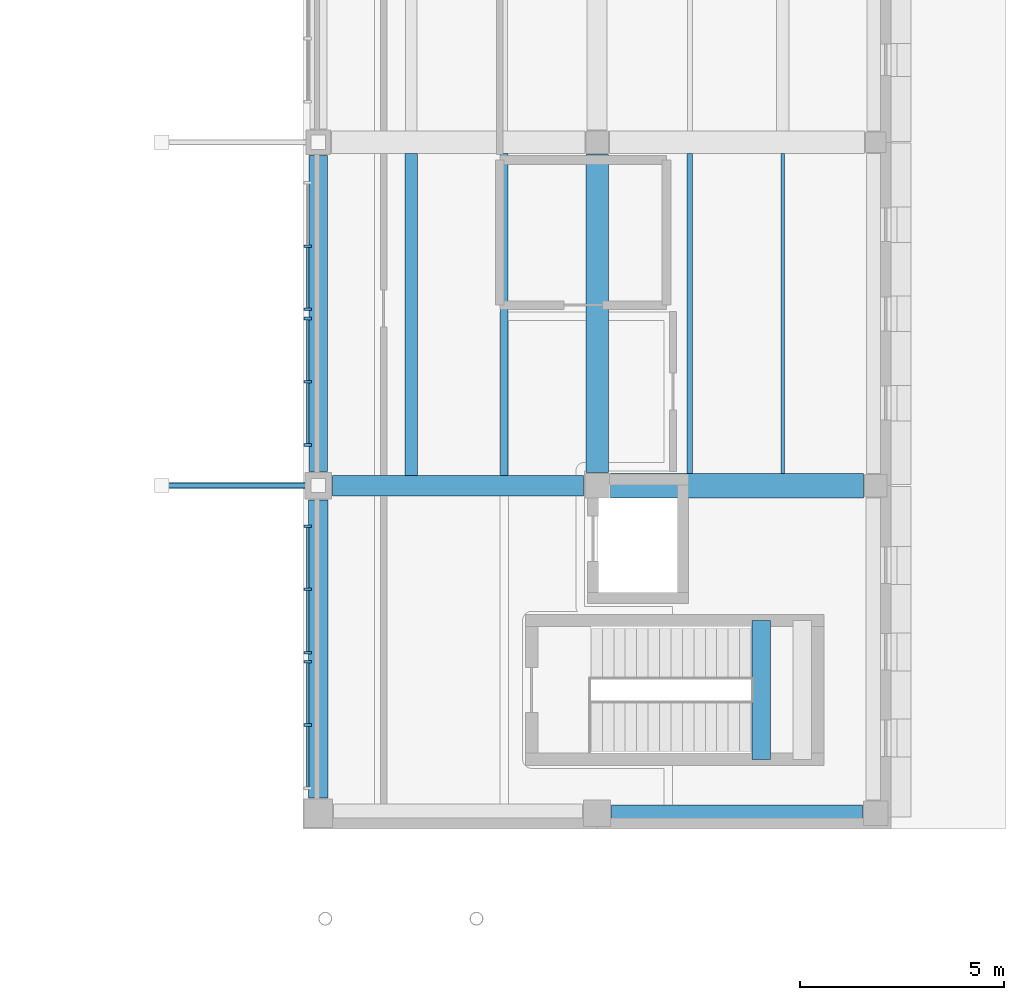
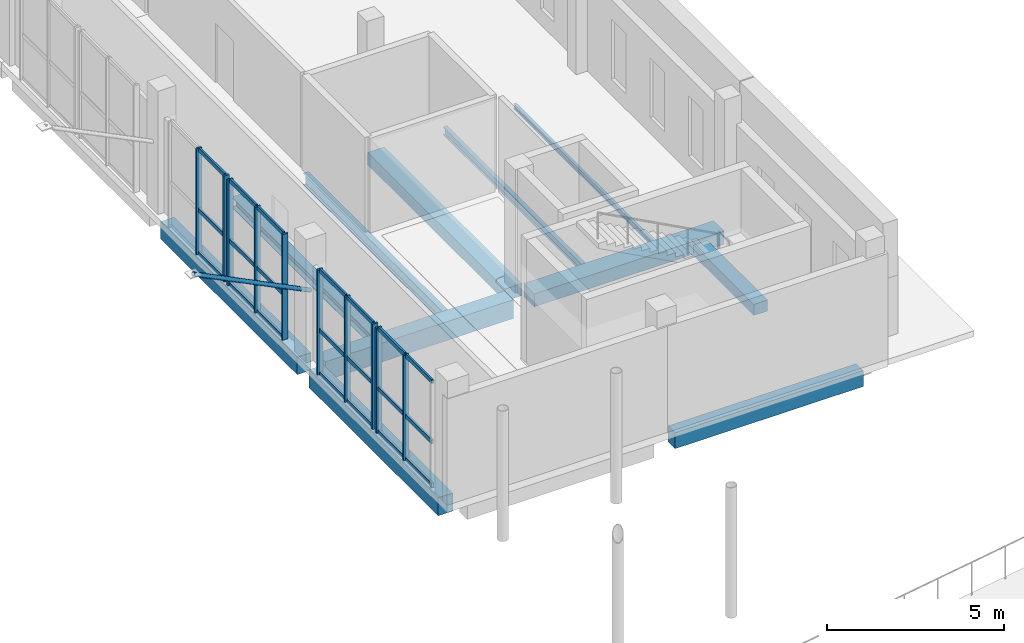
# One storey, part 31 of 77: 32 members, 11 beams, 4 elements without a shape of their own.
"""IFC4 building model written with IfcOpenShell, lengths in metres."""

import ifcopenshell
import ifcopenshell.guid

model = None  # the IFC model being written
_history = None  # IfcOwnerHistory: only IFC2X3 demands one
_inside = {}  # id of a spatial element -> (the spatial element, [elements in it])
_under = {}  # id of a project, library or spatial element -> (it, [spatial elements below it])
_declared = {}  # id of a project -> (the project, [libraries it declares])
_typed = {}  # id of a type object -> (the type object, [elements of that type])
_made_of = {}  # id of a material, layer set ... -> (it, [elements and type objects made of it])


def new_model(schema):
    """Start an empty IFC model of exactly this schema.

    Asked for "IFC4X3", IfcOpenShell would pick the latest addendum, in which some entities
    have other attributes; the version numbers below select the first issue.
    IFC2X3 requires an IfcOwnerHistory on every rooted entity: one is made here for all.
    """
    global model, _history
    if schema == "IFC4X3":
        model = ifcopenshell.file(schema_version=(4, 3, 0, 0))
    else:
        model = ifcopenshell.file(schema=schema)
    _inside.clear()
    _under.clear()
    _declared.clear()
    _typed.clear()
    _made_of.clear()
    _history = None
    if model.schema == "IFC2X3":
        org = make("IfcOrganization", Name="unknown")
        user = make(
            "IfcPersonAndOrganization",
            ThePerson=make("IfcPerson", FamilyName="unknown"),
            TheOrganization=org,
        )
        app = make(
            "IfcApplication",
            ApplicationDeveloper=org,
            Version="unknown",
            ApplicationFullName="unknown",
            ApplicationIdentifier="unknown",
        )
        _history = make(
            "IfcOwnerHistory",
            OwningUser=user,
            OwningApplication=app,
            ChangeAction="ADDED",
            CreationDate=0,
        )
    return model


def make(cls, **values):
    """One entity of the class cls with the attributes given. An attribute that is None is left unset."""
    return model.create_entity(
        cls, **{name: value for name, value in values.items() if value is not None}
    )


def rooted(cls, **values):
    """An entity with a GlobalId (a new one), such as an element, a storey or a relation."""
    return make(cls, GlobalId=ifcopenshell.guid.new(), OwnerHistory=_history, **values)


def si_unit(unit_type, name, prefix=None):
    """IfcSIUnit, for example si_unit("LENGTHUNIT", "METRE", prefix="MILLI")."""
    return make("IfcSIUnit", UnitType=unit_type, Prefix=prefix, Name=name)


def assignment(units):
    """IfcUnitAssignment: the units of a project."""
    return None if units is None else make("IfcUnitAssignment", Units=units)


def point(xyz):
    """IfcCartesianPoint."""
    return None if xyz is None else make("IfcCartesianPoint", Coordinates=xyz)


def direction(xyz):
    """IfcDirection."""
    return None if xyz is None else make("IfcDirection", DirectionRatios=xyz)


def frame(location, z_axis=None, x_axis=None):
    """IfcAxis2Placement3D, a coordinate frame: its origin and axes. An axis left out is left unset."""
    return make(
        "IfcAxis2Placement3D",
        Location=point(location),
        Axis=direction(z_axis),
        RefDirection=direction(x_axis),
    )


def frame_2d(location, x_axis=None):
    """IfcAxis2Placement2D, a coordinate frame in the plane: its origin and x axis."""
    return make(
        "IfcAxis2Placement2D", Location=point(location), RefDirection=direction(x_axis)
    )


def origin():
    """The frame at (0, 0, 0) with its axes left unset."""
    return frame((0.0, 0.0, 0.0))


def origin_2d():
    """The frame at (0, 0) in the plane with its x axis left unset."""
    return frame_2d((0.0, 0.0))


def place(relative_to, where):
    """IfcLocalPlacement: puts the frame where relative to a parent placement (None: the world)."""
    return make(
        "IfcLocalPlacement", PlacementRelTo=relative_to, RelativePlacement=where
    )


def context(
    kind, dimensions, precision=None, world=None, true_north=None, identifier=None
):
    """IfcGeometricRepresentationContext, for example the 3D "Model" context."""
    return make(
        "IfcGeometricRepresentationContext",
        ContextIdentifier=identifier,
        ContextType=kind,
        CoordinateSpaceDimension=dimensions,
        Precision=precision,
        WorldCoordinateSystem=world,
        TrueNorth=true_north,
    )


def subcontext(parent, identifier, kind, view, scale=None):
    """IfcGeometricRepresentationSubContext, for example "Body" below "Model"."""
    return make(
        "IfcGeometricRepresentationSubContext",
        ContextIdentifier=identifier,
        ContextType=kind,
        ParentContext=parent,
        TargetScale=scale,
        TargetView=view,
    )


def project(units=None, contexts=None):
    """IfcProject with its units and contexts."""
    return rooted(
        "IfcProject",
        Name="project",
        RepresentationContexts=contexts,
        UnitsInContext=assignment(units),
    )


def spatial(cls, under=None, at=None, **own):
    """A site, building, storey or space (cls), placed at a placement, below another one or the project."""
    s = rooted(cls, ObjectPlacement=at, **own)
    if under is not None:
        _under.setdefault(under.id(), (under, []))[1].append(s)
    return s


def profile(cls, at=None, kind="AREA", **sizes):
    """A parametric profile (cls). Its sizes go by their IFC names, for example OverallWidth=200.0."""
    return make(cls, ProfileType=kind, Position=at, **sizes)


def rectangle(**sizes):
    """IfcRectangleProfileDef."""
    return profile("IfcRectangleProfileDef", **sizes)


def hollow_circle(**sizes):
    """IfcCircleHollowProfileDef."""
    return profile("IfcCircleHollowProfileDef", **sizes)


def i_section(**sizes):
    """IfcIShapeProfileDef."""
    return profile("IfcIShapeProfileDef", **sizes)


def extrude(swept, where, along, depth):
    """IfcExtrudedAreaSolid: the profile swept, set in the frame where, extruded along a direction by depth."""
    return make(
        "IfcExtrudedAreaSolid",
        SweptArea=swept,
        Position=where,
        ExtrudedDirection=direction(along),
        Depth=depth,
    )


def shape(context_of_items, identifier, shape_type, items):
    """IfcShapeRepresentation: the items that make up one representation, for example the "Body"."""
    return make(
        "IfcShapeRepresentation",
        ContextOfItems=context_of_items,
        RepresentationIdentifier=identifier,
        RepresentationType=shape_type,
        Items=items,
    )


def material(Name=None, Category=None):
    """IfcMaterial."""
    return make("IfcMaterial", Name=Name, Category=Category)


def layer(
    of_material, thickness, ventilated=None, Name=None, Category=None, Priority=None
):
    """IfcMaterialLayer: one layer of a wall or slab, of a material (None: an air gap)."""
    return make(
        "IfcMaterialLayer",
        Material=of_material,
        LayerThickness=thickness,
        IsVentilated=ventilated,
        Name=Name,
        Category=Category,
        Priority=Priority,
    )


def layer_set(layers, Name=None):
    """IfcMaterialLayerSet."""
    return make("IfcMaterialLayerSet", MaterialLayers=layers, LayerSetName=Name)


def material_profile(
    of_material, cross_section, Name=None, Category=None, Priority=None
):
    """IfcMaterialProfile: a cross section and its material."""
    return make(
        "IfcMaterialProfile",
        Name=Name,
        Material=of_material,
        Profile=cross_section,
        Priority=Priority,
        Category=Category,
    )


def profile_set(profiles, Name=None, composite=None):
    """IfcMaterialProfileSet."""
    return make(
        "IfcMaterialProfileSet",
        Name=Name,
        MaterialProfiles=profiles,
        CompositeProfile=composite,
    )


def made_of(thing, what):
    """Note that an element or type object is made of a material, layer set ...; save() writes the relation."""
    if what is not None:
        _made_of.setdefault(what.id(), (what, []))[1].append(thing)
    return thing


def type_object(cls, material=None, **own):
    """A type object (cls), such as IfcWallType, which elements share."""
    return made_of(rooted(cls, **own), material)


def element(
    cls,
    number,
    at=None,
    inside=None,
    cuts=None,
    type_object=None,
    material=None,
    context=None,
    identifier="Body",
    shape_type=None,
    held_by="IfcProductDefinitionShape",
    body=None,
    shapes=None,
    **own,
):
    """One element of the class cls, such as IfcWall. Its Tag is "e" and its number.

    at: its placement. inside: the storey or other place that contains it. cuts: it is an
    opening in that element (IfcRelVoidsElement). A single representation is given by context,
    identifier, shape_type and body (its items); several are given by shapes. held_by: the class
    of the entity that holds the representations. save() writes the other relations.
    """
    e = rooted(cls, Tag="e%d" % number, ObjectPlacement=at, **own)
    if body is not None:
        shapes = [shape(context, identifier, shape_type, body)]
    if shapes is not None:
        e.Representation = make(held_by, Representations=shapes)
    if inside is not None:
        _inside.setdefault(inside.id(), (inside, []))[1].append(e)
    if cuts is not None:
        rooted(
            "IfcRelVoidsElement", RelatingBuildingElement=cuts, RelatedOpeningElement=e
        )
    if type_object is not None:
        _typed.setdefault(type_object.id(), (type_object, []))[1].append(e)
    return made_of(e, material)


def aggregate(whole, parts):
    """IfcRelAggregates: a whole, such as a stair, and the parts it consists of."""
    return rooted("IfcRelAggregates", RelatingObject=whole, RelatedObjects=parts)


def save(model, path):
    """Write the relations noted so far, then the file.

    IfcRelAggregates (storeys below a building ...), IfcRelContainedInSpatialStructure (elements
    in a storey), IfcRelDefinesByType, IfcRelAssociatesMaterial and IfcRelDeclares: one each for
    every whole, place, type object, material and project.
    """
    for whole, parts in _under.values():
        aggregate(whole, parts)
    for where, things in _inside.values():
        rooted(
            "IfcRelContainedInSpatialStructure",
            RelatedElements=things,
            RelatingStructure=where,
        )
    for kind, things in _typed.values():
        rooted("IfcRelDefinesByType", RelatedObjects=things, RelatingType=kind)
    for what, things in _made_of.values():
        rooted("IfcRelAssociatesMaterial", RelatedObjects=things, RelatingMaterial=what)
    for by, libraries in _declared.values():
        rooted("IfcRelDeclares", RelatingContext=by, RelatedDefinitions=libraries)
    model.write(path)


model = new_model("IFC4")

# Units and contexts
model_context = context("Model", 3, precision=1e-05, world=origin(), true_north=direction((0.0, 1.0)))
body_context = subcontext(model_context, "Body", "Model", "MODEL_VIEW")
ifc_project = project(units=[si_unit("LENGTHUNIT", "METRE"), si_unit("AREAUNIT", "SQUARE_METRE"), si_unit("VOLUMEUNIT", "CUBIC_METRE"), si_unit("PLANEANGLEUNIT", "RADIAN"), si_unit("MASSUNIT", "GRAM", prefix="KILO")], contexts=[model_context])

# Site, building, storey
site_placement = place(None, origin())
site = spatial("IfcSite", under=ifc_project, at=site_placement, CompositionType="ELEMENT")
building_placement = place(site_placement, origin())
building = spatial("IfcBuilding", under=site, at=building_placement, Name="Vardoun Plaza Health Centre", CompositionType="ELEMENT")
storey_placement = place(building_placement, origin())
storey = spatial("IfcBuildingStorey", under=building, at=storey_placement, Name="L00", CompositionType="ELEMENT", Elevation=0.0)

# Beams
ifc_material_1 = material(Name="Concrete C35/45", Category="concrete")
ifc_material_profile_1 = material_profile(ifc_material_1, rectangle(XDim=0.39990234375, YDim=0.550048828125, at=origin_2d()), Name="RC-BM 400x550")
ifc_profile_set_1 = profile_set([ifc_material_profile_1], Name="Concrete C35/45")
beam_type_1 = type_object("IfcBeamType", Name="B-09", PredefinedType="SPANDREL", material=ifc_profile_set_1)
beam_1_placement = place(storey_placement, frame((158.449951171875, 36.679931640625, -0.52490234375), z_axis=(1.0, 0.0, 0.0), x_axis=(0.0, 1.0, 0.0)))
element("IfcBeam", 1, at=beam_1_placement, inside=storey, type_object=beam_type_1, Name="V6 L00 Beam B-V6-L00-X08", PredefinedType="SPANDREL", context=body_context, shape_type="SweptSolid", body=[
    extrude(rectangle(XDim=0.39990234375, YDim=0.550048828125, at=origin_2d()), origin(), (0.0, 0.0, 1.0), 6.14501953125),
])
ifc_material_2 = material(Name="Concrete C35/45", Category="concrete")
ifc_material_profile_2 = material_profile(ifc_material_2, rectangle(XDim=0.449951171875, YDim=0.3798828125, at=origin_2d()), Name="RC-BM 450x380")
ifc_profile_set_2 = profile_set([ifc_material_profile_2], Name="Concrete C35/45")
beam_type_2 = type_object("IfcBeamType", Name="B-01", PredefinedType="BEAM", material=ifc_profile_set_2)
beam_2_placement = place(storey_placement, frame((162.1201171875, 38.0, 1.860107421875), z_axis=(0.0, 1.0, 0.0), x_axis=(-1.0, 0.0, 0.0)))
element("IfcBeam", 2, at=beam_2_placement, inside=storey, type_object=beam_type_2, Name="Stair ST-C10-L00 Landing Beam 1", PredefinedType="BEAM", context=body_context, shape_type="SweptSolid", body=[
    extrude(rectangle(XDim=0.449951171875, YDim=0.3798828125, at=origin_2d()), origin(), (0.0, 0.0, 1.0), 3.400146484375),
])
ifc_material_3 = material(Name="Concrete C35/45", Category="concrete")
ifc_material_profile_3 = material_profile(ifc_material_3, rectangle(XDim=0.449951171875, YDim=0.60009765625, at=origin_2d()), Name="RC-BM 450x600")
ifc_profile_set_3 = profile_set([ifc_material_profile_3], Name="Concrete C35/45")
beam_type_3 = type_object("IfcBeamType", Name="B-11", PredefinedType="SPANDREL", material=ifc_profile_set_3)
beam_3_placement = place(storey_placement, frame((151.280029296875, 45.050048828125, -0.550048828125), z_axis=(0.0, 1.0, 0.0), x_axis=(-1.0, 0.0, 0.0)))
element("IfcBeam", 3, at=beam_3_placement, inside=storey, type_object=beam_type_3, Name="V6 L00 Beam B-V6-L00-Y16", PredefinedType="SPANDREL", context=body_context, shape_type="SweptSolid", body=[
    extrude(rectangle(XDim=0.449951171875, YDim=0.60009765625, at=origin_2d()), origin(), (0.0, 0.0, 1.0), 7.72509765625),
])
ifc_material_4 = material(Name="Concrete C35/45", Category="concrete")
ifc_material_profile_4 = material_profile(ifc_material_4, rectangle(XDim=0.47998046875, YDim=0.6201171875, at=origin_2d()), Name="RC-BM 480x620")
ifc_profile_set_4 = profile_set([ifc_material_profile_4], Name="Concrete C35/45")
beam_type_4 = type_object("IfcBeamType", Name="B-12", PredefinedType="SPANDREL", material=ifc_profile_set_4)
beam_4_placement = place(storey_placement, frame((151.280029296875, 37.054931640625, -0.56005859375), z_axis=(0.0, 1.0, 0.0), x_axis=(-1.0, 0.0, 0.0)))
element("IfcBeam", 4, at=beam_4_placement, inside=storey, type_object=beam_type_4, Name="V6 L00 Beam B-V6-L00-Y15", PredefinedType="SPANDREL", context=body_context, shape_type="SweptSolid", body=[
    extrude(rectangle(XDim=0.47998046875, YDim=0.6201171875, at=origin_2d()), origin(), (0.0, 0.0, 1.0), 7.295166015625),
])
ifc_material_5 = material(Name="Concrete C40/50", Category="concrete")
ifc_material_profile_5 = material_profile(ifc_material_5, rectangle(XDim=0.5, YDim=0.64990234375, at=origin_2d()), Name="RC-BM 500x650")
ifc_profile_set_5 = profile_set([ifc_material_profile_5], Name="Concrete C40/50")
beam_type_5 = type_object("IfcBeamType", Name="B-13", PredefinedType="BEAM", material=ifc_profile_set_5)
beam_5_placement = place(storey_placement, frame((151.6298828125, 44.699951171875, -0.574951171875), z_axis=(1.0, 0.0, 0.0), x_axis=(0.0, 1.0, 0.0)))
element("IfcBeam", 5, at=beam_5_placement, inside=storey, type_object=beam_type_5, Name="V6 L00 Beam B-V6-L00-X02", PredefinedType="BEAM", context=body_context, shape_type="SweptSolid", body=[
    extrude(rectangle(XDim=0.5, YDim=0.64990234375, at=origin_2d()), origin(), (0.0, 0.0, 1.0), 6.14501953125),
])
ifc_material_6 = material(Name="Concrete C35/45", Category="concrete")
ifc_material_profile_6 = material_profile(ifc_material_6, rectangle(XDim=0.550048828125, YDim=0.419921875, at=origin_2d()), Name="RC-BM 550x420")
ifc_profile_set_6 = profile_set([ifc_material_profile_6], Name="Concrete C35/45")
beam_type_6 = type_object("IfcBeamType", Name="B-03", PredefinedType="BEAM", material=ifc_profile_set_6)
beam_6_placement = place(storey_placement, frame((158.10009765625, 45.025146484375, -0.4599609375), z_axis=(0.0, 1.0, 0.0), x_axis=(-1.0, 0.0, 0.0)))
element("IfcBeam", 6, at=beam_6_placement, inside=storey, type_object=beam_type_6, Name="V6 L00 Beam B-V6-L00-Y21", PredefinedType="BEAM", context=body_context, shape_type="SweptSolid", body=[
    extrude(rectangle(XDim=0.550048828125, YDim=0.419921875, at=origin_2d()), origin(), (0.0, 0.0, 1.0), 7.77490234375),
])
ifc_material_7 = material(Name="Concrete C35/45", Category="concrete")
ifc_material_profile_7 = material_profile(ifc_material_7, rectangle(XDim=0.60009765625, YDim=0.449951171875, at=origin_2d()), Name="RC-BM 600x450")
ifc_profile_set_7 = profile_set([ifc_material_profile_7], Name="Concrete C35/45")
beam_type_7 = type_object("IfcBeamType", Name="B-04", PredefinedType="BEAM", material=ifc_profile_set_7)
beam_7_placement = place(storey_placement, frame((158.425048828125, 44.699951171875, -0.47509765625), z_axis=(1.0, 0.0, 0.0), x_axis=(0.0, 1.0, 0.0)))
element("IfcBeam", 7, at=beam_7_placement, inside=storey, type_object=beam_type_7, Name="V6 L00 Beam B-V6-L00-X09", PredefinedType="BEAM", context=body_context, shape_type="SweptSolid", body=[
    extrude(rectangle(XDim=0.60009765625, YDim=0.449951171875, at=origin_2d()), origin(), (0.0, 0.0, 1.0), 6.195068359375),
])
ifc_material_8 = material(Name="Steel S355J2", Category="steel")
ifc_material_profile_8 = material_profile(ifc_material_8, i_section(OverallWidth=0.300048828125, OverallDepth=0.360107421875, WebThickness=0.012451171875, FlangeThickness=0.0224609375, FilletRadius=0.027099609375, at=origin_2d()), Name="HEB 360")
ifc_profile_set_8 = profile_set([ifc_material_profile_8], Name="Steel S355J2")
beam_type_8 = type_object("IfcBeamType", Name="RB-04", PredefinedType="BEAM", material=ifc_profile_set_8)
beam_8_placement = place(storey_placement, frame((153.552978515625, 44.949951171875, -0.429931640625), z_axis=(0.0, 1.0, 0.0), x_axis=(-1.0, 0.0, 0.0)))
element("IfcBeam", 8, at=beam_8_placement, inside=storey, type_object=beam_type_8, Name="V6 L00 Secondary Floor Beam SJ-V6-L00-01", PredefinedType="BEAM", context=body_context, shape_type="SweptSolid", body=[
    extrude(i_section(OverallWidth=0.300048828125, OverallDepth=0.360107421875, WebThickness=0.012451171875, FlangeThickness=0.0224609375, FilletRadius=0.027099609375, at=origin_2d()), origin(), (0.0, 0.0, 1.0), 7.875),
])
ifc_material_9 = material(Name="Steel S355J2", Category="steel")
ifc_material_profile_9 = material_profile(ifc_material_9, i_section(OverallWidth=0.091064453125, OverallDepth=0.179931640625, WebThickness=0.00537109375, FlangeThickness=0.008056640625, FilletRadius=0.009033203125, at=origin_2d()), Name="IPE 180")
ifc_profile_set_9 = profile_set([ifc_material_profile_9], Name="Steel S355J2")
beam_type_9 = type_object("IfcBeamType", Name="SB-20", PredefinedType="SPANDREL", material=ifc_profile_set_9)
beam_9_placement = place(storey_placement, frame((162.64697265625, 45.0, -0.340087890625), z_axis=(0.0, 1.0, 0.0), x_axis=(-1.0, 0.0, 0.0)))
element("IfcBeam", 9, at=beam_9_placement, inside=storey, type_object=beam_type_9, Name="V6 L00 Secondary Floor Beam SJ-V6-L00-13", PredefinedType="SPANDREL", context=body_context, shape_type="SweptSolid", body=[
    extrude(i_section(OverallWidth=0.091064453125, OverallDepth=0.179931640625, WebThickness=0.00537109375, FlangeThickness=0.008056640625, FilletRadius=0.009033203125, at=origin_2d()), origin(), (0.0, 0.0, 1.0), 7.824951171875),
])
ifc_material_10 = material(Name="Steel S355J2", Category="steel")
ifc_material_profile_10 = material_profile(ifc_material_10, i_section(OverallWidth=0.135009765625, OverallDepth=0.27001953125, WebThickness=0.006591796875, FlangeThickness=0.01025390625, FilletRadius=0.014892578125, at=origin_2d()), Name="IPE 270")
ifc_profile_set_10 = profile_set([ifc_material_profile_10], Name="Steel S355J2")
beam_type_10 = type_object("IfcBeamType", Name="SB-16", PredefinedType="JOIST", material=ifc_profile_set_10)
beam_10_placement = place(storey_placement, frame((160.373046875, 45.0, -0.385009765625), z_axis=(0.0, 1.0, 0.0), x_axis=(-1.0, 0.0, 0.0)))
element("IfcBeam", 10, at=beam_10_placement, inside=storey, type_object=beam_type_10, Name="V6 L00 Secondary Floor Beam SJ-V6-L00-09", PredefinedType="JOIST", context=body_context, shape_type="SweptSolid", body=[
    extrude(i_section(OverallWidth=0.135009765625, OverallDepth=0.27001953125, WebThickness=0.006591796875, FlangeThickness=0.01025390625, FilletRadius=0.014892578125, at=origin_2d()), origin(), (0.0, 0.0, 1.0), 7.824951171875),
])
ifc_material_11 = material(Name="Steel S355J2", Category="steel")
ifc_material_profile_11 = material_profile(ifc_material_11, i_section(OverallWidth=0.179931640625, OverallDepth=0.39990234375, WebThickness=0.008544921875, FlangeThickness=0.013427734375, FilletRadius=0.02099609375, at=origin_2d()), Name="IPE 400")
ifc_profile_set_11 = profile_set([ifc_material_profile_11], Name="Steel S355J2")
beam_type_11 = type_object("IfcBeamType", Name="SB-12", PredefinedType="BEAM", material=ifc_profile_set_11)
beam_11_placement = place(storey_placement, frame((155.826904296875, 44.949951171875, -0.449951171875), z_axis=(0.0, 1.0, 0.0), x_axis=(-1.0, 0.0, 0.0)))
element("IfcBeam", 11, at=beam_11_placement, inside=storey, type_object=beam_type_11, Name="V6 L00 Secondary Floor Beam SJ-V6-L00-05", PredefinedType="BEAM", context=body_context, shape_type="SweptSolid", body=[
    extrude(i_section(OverallWidth=0.179931640625, OverallDepth=0.39990234375, WebThickness=0.008544921875, FlangeThickness=0.013427734375, FilletRadius=0.02099609375, at=origin_2d()), origin(), (0.0, 0.0, 1.0), 7.875),
])

# Curtain wall, members
ifc_material_12 = material(Name="Aluminium Alloy EN AW-6063-T6 and Low-E Glass", Category="aluminium")
ifc_layer = layer(ifc_material_12, 0.179931640625)
ifc_layer_set = layer_set([ifc_layer], Name="Aluminium Alloy EN AW-6063-T6 and Low-E Glass")
curtain_wall_type = type_object("IfcCurtainWallType", Name="CW-01", PredefinedType="USERDEFINED", material=ifc_layer_set)
curtain_wall_1_placement = place(storey_placement, origin())
curtain_wall_1 = element("IfcCurtainWall", 12, at=curtain_wall_1_placement, inside=storey, type_object=curtain_wall_type, Name="Curtain Wall CW-V6-191", ObjectType="CONCOURSE_CURTAIN_WALL", PredefinedType="USERDEFINED")
ifc_material_13 = material(Name="Aluminium Alloy EN AW-6063-T6", Category="aluminium")
ifc_material_profile_12 = material_profile(ifc_material_13, rectangle(XDim=0.179931640625, YDim=0.06494140625, at=origin_2d()), Name="CWM 65x180")
ifc_profile_set_12 = profile_set([ifc_material_profile_12], Name="Aluminium Alloy EN AW-6063-T6")
member_type_1 = type_object("IfcMemberType", Name="CW-M2", PredefinedType="MULLION", material=ifc_profile_set_12)
member_1_placement = place(storey_placement, frame((151.02001953125, 38.840087890625, 0.0), z_axis=(0.0, 0.0, 1.0), x_axis=(-1.0, 0.0, 0.0)))
member_1 = element("IfcMember", 13, at=member_1_placement, type_object=member_type_1, Name="CW-V6-191 mullion 2", PredefinedType="MULLION", context=body_context, shape_type="SweptSolid", body=[
    extrude(rectangle(XDim=0.179931640625, YDim=0.06494140625, at=origin_2d()), origin(), (0.0, 0.0, 1.0), 3.635009765625),
])
member_2_placement = place(storey_placement, frame((151.02001953125, 40.387451171875, 0.0), z_axis=(0.0, 0.0, 1.0), x_axis=(-1.0, 0.0, 0.0)))
member_2 = element("IfcMember", 14, at=member_2_placement, type_object=member_type_1, Name="CW-V6-191 mullion 3", PredefinedType="MULLION", context=body_context, shape_type="SweptSolid", body=[
    extrude(rectangle(XDim=0.179931640625, YDim=0.06494140625, at=origin_2d()), origin(), (0.0, 0.0, 1.0), 3.635009765625),
])

curtain_wall_2_placement = place(storey_placement, origin())
curtain_wall_2 = element("IfcCurtainWall", 15, at=curtain_wall_2_placement, inside=storey, type_object=curtain_wall_type, Name="Curtain Wall CW-V6-192", ObjectType="CONCOURSE_CURTAIN_WALL", PredefinedType="USERDEFINED")
member_3_placement = place(storey_placement, frame((151.02001953125, 40.612548828125, 0.0), z_axis=(0.0, 0.0, 1.0), x_axis=(-1.0, 0.0, 0.0)))
member_3 = element("IfcMember", 16, at=member_3_placement, type_object=member_type_1, Name="CW-V6-192 mullion 1", PredefinedType="MULLION", context=body_context, shape_type="SweptSolid", body=[
    extrude(rectangle(XDim=0.179931640625, YDim=0.06494140625, at=origin_2d()), origin(), (0.0, 0.0, 1.0), 3.635009765625),
])
member_4_placement = place(storey_placement, frame((151.02001953125, 42.159912109375, 0.0), z_axis=(0.0, 0.0, 1.0), x_axis=(-1.0, 0.0, 0.0)))
member_4 = element("IfcMember", 17, at=member_4_placement, type_object=member_type_1, Name="CW-V6-192 mullion 2", PredefinedType="MULLION", context=body_context, shape_type="SweptSolid", body=[
    extrude(rectangle(XDim=0.179931640625, YDim=0.06494140625, at=origin_2d()), origin(), (0.0, 0.0, 1.0), 3.635009765625),
])
member_5_placement = place(storey_placement, frame((151.02001953125, 43.70751953125, 0.0), z_axis=(0.0, 0.0, 1.0), x_axis=(-1.0, 0.0, 0.0)))
member_5 = element("IfcMember", 18, at=member_5_placement, type_object=member_type_1, Name="CW-V6-192 mullion 3", PredefinedType="MULLION", context=body_context, shape_type="SweptSolid", body=[
    extrude(rectangle(XDim=0.179931640625, YDim=0.06494140625, at=origin_2d()), origin(), (0.0, 0.0, 1.0), 3.635009765625),
])

curtain_wall_3_placement = place(storey_placement, origin())
curtain_wall_3 = element("IfcCurtainWall", 19, at=curtain_wall_3_placement, inside=storey, type_object=curtain_wall_type, Name="Curtain Wall CW-V6-193", ObjectType="CONCOURSE_CURTAIN_WALL", PredefinedType="USERDEFINED")
member_6_placement = place(storey_placement, frame((151.02001953125, 45.6923828125, 0.0), z_axis=(0.0, 0.0, 1.0), x_axis=(-1.0, 0.0, 0.0)))
member_6 = element("IfcMember", 20, at=member_6_placement, type_object=member_type_1, Name="CW-V6-193 mullion 1", PredefinedType="MULLION", context=body_context, shape_type="SweptSolid", body=[
    extrude(rectangle(XDim=0.179931640625, YDim=0.06494140625, at=origin_2d()), origin(), (0.0, 0.0, 1.0), 3.655029296875),
])
member_7_placement = place(storey_placement, frame((151.02001953125, 47.239990234375, 0.0), z_axis=(0.0, 0.0, 1.0), x_axis=(-1.0, 0.0, 0.0)))
member_7 = element("IfcMember", 21, at=member_7_placement, type_object=member_type_1, Name="CW-V6-193 mullion 2", PredefinedType="MULLION", context=body_context, shape_type="SweptSolid", body=[
    extrude(rectangle(XDim=0.179931640625, YDim=0.06494140625, at=origin_2d()), origin(), (0.0, 0.0, 1.0), 3.655029296875),
])
member_8_placement = place(storey_placement, frame((151.02001953125, 48.78759765625, 0.0), z_axis=(0.0, 0.0, 1.0), x_axis=(-1.0, 0.0, 0.0)))
member_8 = element("IfcMember", 22, at=member_8_placement, type_object=member_type_1, Name="CW-V6-193 mullion 3", PredefinedType="MULLION", context=body_context, shape_type="SweptSolid", body=[
    extrude(rectangle(XDim=0.179931640625, YDim=0.06494140625, at=origin_2d()), origin(), (0.0, 0.0, 1.0), 3.655029296875),
])

curtain_wall_4_placement = place(storey_placement, origin())
curtain_wall_4 = element("IfcCurtainWall", 23, at=curtain_wall_4_placement, inside=storey, type_object=curtain_wall_type, Name="Curtain Wall CW-V6-194", ObjectType="CONCOURSE_CURTAIN_WALL", PredefinedType="USERDEFINED")
member_9_placement = place(storey_placement, frame((151.02001953125, 49.012451171875, 0.0), z_axis=(0.0, 0.0, 1.0), x_axis=(-1.0, 0.0, 0.0)))
member_9 = element("IfcMember", 24, at=member_9_placement, type_object=member_type_1, Name="CW-V6-194 mullion 1", PredefinedType="MULLION", context=body_context, shape_type="SweptSolid", body=[
    extrude(rectangle(XDim=0.179931640625, YDim=0.06494140625, at=origin_2d()), origin(), (0.0, 0.0, 1.0), 3.655029296875),
])
member_10_placement = place(storey_placement, frame((151.02001953125, 50.56005859375, 0.0), z_axis=(0.0, 0.0, 1.0), x_axis=(-1.0, 0.0, 0.0)))
member_10 = element("IfcMember", 25, at=member_10_placement, type_object=member_type_1, Name="CW-V6-194 mullion 2", PredefinedType="MULLION", context=body_context, shape_type="SweptSolid", body=[
    extrude(rectangle(XDim=0.179931640625, YDim=0.06494140625, at=origin_2d()), origin(), (0.0, 0.0, 1.0), 3.655029296875),
])

# Member
ifc_material_14 = material(Name="Aluminium Alloy EN AW-6063-T6", Category="aluminium")
ifc_material_profile_13 = material_profile(ifc_material_14, rectangle(XDim=0.06494140625, YDim=0.139892578125, at=origin_2d()), Name="CWT 65x140")
ifc_profile_set_13 = profile_set([ifc_material_profile_13], Name="Aluminium Alloy EN AW-6063-T6")
member_type_2 = type_object("IfcMemberType", Name="CW-T2", PredefinedType="USERDEFINED", material=ifc_profile_set_13)
member_11_placement = place(storey_placement, frame((151.02001953125, 37.324951171875, 0.032470703125), z_axis=(0.0, 1.0, 0.0), x_axis=(-1.0, 0.0, 0.0)))
member_11 = element("IfcMember", 26, at=member_11_placement, type_object=member_type_2, Name="CW-V6-191 transom 1.1", ObjectType="TRANSOM", PredefinedType="USERDEFINED", context=body_context, shape_type="SweptSolid", body=[
    extrude(rectangle(XDim=0.06494140625, YDim=0.139892578125, at=origin_2d()), origin(), (0.0, 0.0, 1.0), 1.482666015625),
])

member_12_placement = place(storey_placement, frame((151.02001953125, 37.324951171875, 1.526611328125), z_axis=(0.0, 1.0, 0.0), x_axis=(-1.0, 0.0, 0.0)))
member_12 = element("IfcMember", 27, at=member_12_placement, type_object=member_type_2, Name="CW-V6-191 transom 1.2", ObjectType="TRANSOM", PredefinedType="USERDEFINED", context=body_context, shape_type="SweptSolid", body=[
    extrude(rectangle(XDim=0.06494140625, YDim=0.139892578125, at=origin_2d()), origin(), (0.0, 0.0, 1.0), 1.482666015625),
])

member_13_placement = place(storey_placement, frame((151.02001953125, 37.324951171875, 3.6025390625), z_axis=(0.0, 1.0, 0.0), x_axis=(-1.0, 0.0, 0.0)))
member_13 = element("IfcMember", 28, at=member_13_placement, type_object=member_type_2, Name="CW-V6-191 transom 1.3", ObjectType="TRANSOM", PredefinedType="USERDEFINED", context=body_context, shape_type="SweptSolid", body=[
    extrude(rectangle(XDim=0.06494140625, YDim=0.139892578125, at=origin_2d()), origin(), (0.0, 0.0, 1.0), 1.482666015625),
])

member_14_placement = place(storey_placement, frame((151.02001953125, 38.87255859375, 0.032470703125), z_axis=(0.0, 1.0, 0.0), x_axis=(-1.0, 0.0, 0.0)))
member_14 = element("IfcMember", 29, at=member_14_placement, type_object=member_type_2, Name="CW-V6-191 transom 2.1", ObjectType="TRANSOM", PredefinedType="USERDEFINED", context=body_context, shape_type="SweptSolid", body=[
    extrude(rectangle(XDim=0.06494140625, YDim=0.139892578125, at=origin_2d()), origin(), (0.0, 0.0, 1.0), 1.482421875),
])

member_15_placement = place(storey_placement, frame((151.02001953125, 38.87255859375, 1.526611328125), z_axis=(0.0, 1.0, 0.0), x_axis=(-1.0, 0.0, 0.0)))
member_15 = element("IfcMember", 30, at=member_15_placement, type_object=member_type_2, Name="CW-V6-191 transom 2.2", ObjectType="TRANSOM", PredefinedType="USERDEFINED", context=body_context, shape_type="SweptSolid", body=[
    extrude(rectangle(XDim=0.06494140625, YDim=0.139892578125, at=origin_2d()), origin(), (0.0, 0.0, 1.0), 1.482421875),
])

member_16_placement = place(storey_placement, frame((151.02001953125, 38.87255859375, 3.6025390625), z_axis=(0.0, 1.0, 0.0), x_axis=(-1.0, 0.0, 0.0)))
member_16 = element("IfcMember", 31, at=member_16_placement, type_object=member_type_2, Name="CW-V6-191 transom 2.3", ObjectType="TRANSOM", PredefinedType="USERDEFINED", context=body_context, shape_type="SweptSolid", body=[
    extrude(rectangle(XDim=0.06494140625, YDim=0.139892578125, at=origin_2d()), origin(), (0.0, 0.0, 1.0), 1.482421875),
])

aggregate(curtain_wall_1, [member_1, member_2, member_11, member_12, member_13, member_14, member_15, member_16])

member_17_placement = place(storey_placement, frame((151.02001953125, 40.64501953125, 0.032470703125), z_axis=(0.0, 1.0, 0.0), x_axis=(-1.0, 0.0, 0.0)))
member_17 = element("IfcMember", 32, at=member_17_placement, type_object=member_type_2, Name="CW-V6-192 transom 1.1", ObjectType="TRANSOM", PredefinedType="USERDEFINED", context=body_context, shape_type="SweptSolid", body=[
    extrude(rectangle(XDim=0.06494140625, YDim=0.139892578125, at=origin_2d()), origin(), (0.0, 0.0, 1.0), 1.482421875),
])

member_18_placement = place(storey_placement, frame((151.02001953125, 40.64501953125, 1.526611328125), z_axis=(0.0, 1.0, 0.0), x_axis=(-1.0, 0.0, 0.0)))
member_18 = element("IfcMember", 33, at=member_18_placement, type_object=member_type_2, Name="CW-V6-192 transom 1.2", ObjectType="TRANSOM", PredefinedType="USERDEFINED", context=body_context, shape_type="SweptSolid", body=[
    extrude(rectangle(XDim=0.06494140625, YDim=0.139892578125, at=origin_2d()), origin(), (0.0, 0.0, 1.0), 1.482421875),
])

member_19_placement = place(storey_placement, frame((151.02001953125, 40.64501953125, 3.6025390625), z_axis=(0.0, 1.0, 0.0), x_axis=(-1.0, 0.0, 0.0)))
member_19 = element("IfcMember", 34, at=member_19_placement, type_object=member_type_2, Name="CW-V6-192 transom 1.3", ObjectType="TRANSOM", PredefinedType="USERDEFINED", context=body_context, shape_type="SweptSolid", body=[
    extrude(rectangle(XDim=0.06494140625, YDim=0.139892578125, at=origin_2d()), origin(), (0.0, 0.0, 1.0), 1.482421875),
])

member_20_placement = place(storey_placement, frame((151.02001953125, 42.1923828125, 0.032470703125), z_axis=(0.0, 1.0, 0.0), x_axis=(-1.0, 0.0, 0.0)))
member_20 = element("IfcMember", 35, at=member_20_placement, type_object=member_type_2, Name="CW-V6-192 transom 2.1", ObjectType="TRANSOM", PredefinedType="USERDEFINED", context=body_context, shape_type="SweptSolid", body=[
    extrude(rectangle(XDim=0.06494140625, YDim=0.139892578125, at=origin_2d()), origin(), (0.0, 0.0, 1.0), 1.482666015625),
])

member_21_placement = place(storey_placement, frame((151.02001953125, 42.1923828125, 1.526611328125), z_axis=(0.0, 1.0, 0.0), x_axis=(-1.0, 0.0, 0.0)))
member_21 = element("IfcMember", 36, at=member_21_placement, type_object=member_type_2, Name="CW-V6-192 transom 2.2", ObjectType="TRANSOM", PredefinedType="USERDEFINED", context=body_context, shape_type="SweptSolid", body=[
    extrude(rectangle(XDim=0.06494140625, YDim=0.139892578125, at=origin_2d()), origin(), (0.0, 0.0, 1.0), 1.482666015625),
])

member_22_placement = place(storey_placement, frame((151.02001953125, 42.1923828125, 3.6025390625), z_axis=(0.0, 1.0, 0.0), x_axis=(-1.0, 0.0, 0.0)))
member_22 = element("IfcMember", 37, at=member_22_placement, type_object=member_type_2, Name="CW-V6-192 transom 2.3", ObjectType="TRANSOM", PredefinedType="USERDEFINED", context=body_context, shape_type="SweptSolid", body=[
    extrude(rectangle(XDim=0.06494140625, YDim=0.139892578125, at=origin_2d()), origin(), (0.0, 0.0, 1.0), 1.482666015625),
])

aggregate(curtain_wall_2, [member_3, member_4, member_5, member_17, member_18, member_19, member_20, member_21, member_22])

member_23_placement = place(storey_placement, frame((151.02001953125, 45.72509765625, 0.032470703125), z_axis=(0.0, 1.0, 0.0), x_axis=(-1.0, 0.0, 0.0)))
member_23 = element("IfcMember", 38, at=member_23_placement, type_object=member_type_2, Name="CW-V6-193 transom 1.1", ObjectType="TRANSOM", PredefinedType="USERDEFINED", context=body_context, shape_type="SweptSolid", body=[
    extrude(rectangle(XDim=0.06494140625, YDim=0.139892578125, at=origin_2d()), origin(), (0.0, 0.0, 1.0), 1.482421875),
])

member_24_placement = place(storey_placement, frame((151.02001953125, 45.72509765625, 1.53515625), z_axis=(0.0, 1.0, 0.0), x_axis=(-1.0, 0.0, 0.0)))
member_24 = element("IfcMember", 39, at=member_24_placement, type_object=member_type_2, Name="CW-V6-193 transom 1.2", ObjectType="TRANSOM", PredefinedType="USERDEFINED", context=body_context, shape_type="SweptSolid", body=[
    extrude(rectangle(XDim=0.06494140625, YDim=0.139892578125, at=origin_2d()), origin(), (0.0, 0.0, 1.0), 1.482421875),
])

member_25_placement = place(storey_placement, frame((151.02001953125, 45.72509765625, 3.62255859375), z_axis=(0.0, 1.0, 0.0), x_axis=(-1.0, 0.0, 0.0)))
member_25 = element("IfcMember", 40, at=member_25_placement, type_object=member_type_2, Name="CW-V6-193 transom 1.3", ObjectType="TRANSOM", PredefinedType="USERDEFINED", context=body_context, shape_type="SweptSolid", body=[
    extrude(rectangle(XDim=0.06494140625, YDim=0.139892578125, at=origin_2d()), origin(), (0.0, 0.0, 1.0), 1.482421875),
])

member_26_placement = place(storey_placement, frame((151.02001953125, 47.2724609375, 0.032470703125), z_axis=(0.0, 1.0, 0.0), x_axis=(-1.0, 0.0, 0.0)))
member_26 = element("IfcMember", 41, at=member_26_placement, type_object=member_type_2, Name="CW-V6-193 transom 2.1", ObjectType="TRANSOM", PredefinedType="USERDEFINED", context=body_context, shape_type="SweptSolid", body=[
    extrude(rectangle(XDim=0.06494140625, YDim=0.139892578125, at=origin_2d()), origin(), (0.0, 0.0, 1.0), 1.482421875),
])

member_27_placement = place(storey_placement, frame((151.02001953125, 47.2724609375, 1.53515625), z_axis=(0.0, 1.0, 0.0), x_axis=(-1.0, 0.0, 0.0)))
member_27 = element("IfcMember", 42, at=member_27_placement, type_object=member_type_2, Name="CW-V6-193 transom 2.2", ObjectType="TRANSOM", PredefinedType="USERDEFINED", context=body_context, shape_type="SweptSolid", body=[
    extrude(rectangle(XDim=0.06494140625, YDim=0.139892578125, at=origin_2d()), origin(), (0.0, 0.0, 1.0), 1.482421875),
])

member_28_placement = place(storey_placement, frame((151.02001953125, 47.2724609375, 3.62255859375), z_axis=(0.0, 1.0, 0.0), x_axis=(-1.0, 0.0, 0.0)))
member_28 = element("IfcMember", 43, at=member_28_placement, type_object=member_type_2, Name="CW-V6-193 transom 2.3", ObjectType="TRANSOM", PredefinedType="USERDEFINED", context=body_context, shape_type="SweptSolid", body=[
    extrude(rectangle(XDim=0.06494140625, YDim=0.139892578125, at=origin_2d()), origin(), (0.0, 0.0, 1.0), 1.482421875),
])

aggregate(curtain_wall_3, [member_6, member_7, member_8, member_23, member_24, member_25, member_26, member_27, member_28])

member_29_placement = place(storey_placement, frame((151.02001953125, 49.044921875, 0.032470703125), z_axis=(0.0, 1.0, 0.0), x_axis=(-1.0, 0.0, 0.0)))
member_29 = element("IfcMember", 44, at=member_29_placement, type_object=member_type_2, Name="CW-V6-194 transom 1.1", ObjectType="TRANSOM", PredefinedType="USERDEFINED", context=body_context, shape_type="SweptSolid", body=[
    extrude(rectangle(XDim=0.06494140625, YDim=0.139892578125, at=origin_2d()), origin(), (0.0, 0.0, 1.0), 1.482666015625),
])

member_30_placement = place(storey_placement, frame((151.02001953125, 49.044921875, 1.53515625), z_axis=(0.0, 1.0, 0.0), x_axis=(-1.0, 0.0, 0.0)))
member_30 = element("IfcMember", 45, at=member_30_placement, type_object=member_type_2, Name="CW-V6-194 transom 1.2", ObjectType="TRANSOM", PredefinedType="USERDEFINED", context=body_context, shape_type="SweptSolid", body=[
    extrude(rectangle(XDim=0.06494140625, YDim=0.139892578125, at=origin_2d()), origin(), (0.0, 0.0, 1.0), 1.482666015625),
])

member_31_placement = place(storey_placement, frame((151.02001953125, 49.044921875, 3.62255859375), z_axis=(0.0, 1.0, 0.0), x_axis=(-1.0, 0.0, 0.0)))
member_31 = element("IfcMember", 46, at=member_31_placement, type_object=member_type_2, Name="CW-V6-194 transom 1.3", ObjectType="TRANSOM", PredefinedType="USERDEFINED", context=body_context, shape_type="SweptSolid", body=[
    extrude(rectangle(XDim=0.06494140625, YDim=0.139892578125, at=origin_2d()), origin(), (0.0, 0.0, 1.0), 1.482666015625),
])

aggregate(curtain_wall_4, [member_9, member_10, member_29, member_30, member_31])

ifc_material_15 = material(Name="Steel S355J2H", Category="steel")
ifc_material_profile_14 = material_profile(ifc_material_15, hollow_circle(Radius=0.06982421875, WallThickness=0.008056640625, at=origin_2d()), Name="CHS 139.7x8.0")
ifc_profile_set_14 = profile_set([ifc_material_profile_14], Name="Steel S355J2H")
member_type_3 = type_object("IfcMemberType", Name="CS-01", PredefinedType="STRUT", material=ifc_profile_set_14)
member_32_placement = place(storey_placement, frame((151.280029296875, 44.699951171875, 2.199951171875), z_axis=(-0.895816138957, 0.0, 0.444424847623), x_axis=(0.0, -1.0, 0.0)))
element("IfcMember", 47, at=member_32_placement, inside=storey, type_object=member_type_3, Name="Forecourt Canopy Raking Steel Strut 1", PredefinedType="STRUT", context=body_context, shape_type="SweptSolid", body=[
    extrude(hollow_circle(Radius=0.06982421875, WallThickness=0.008056640625, at=origin_2d()), origin(), (0.0, 0.0, 1.0), 4.275634765625),
])

save(model, "model.ifc")
